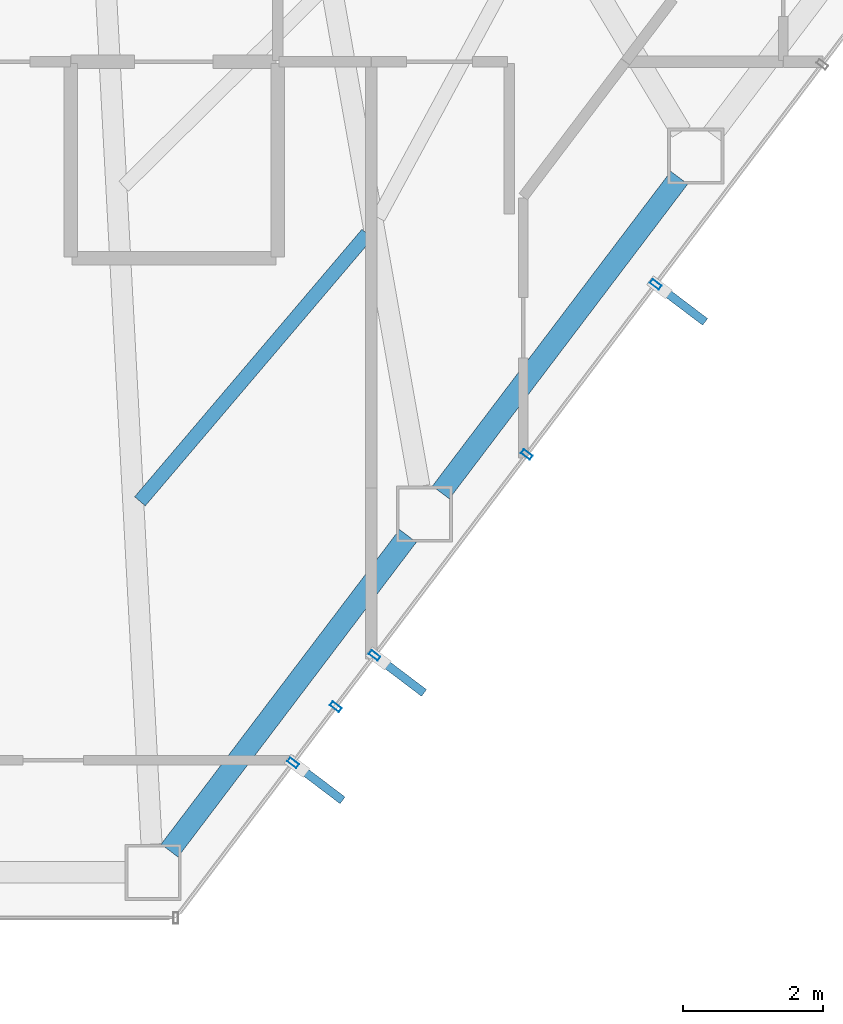
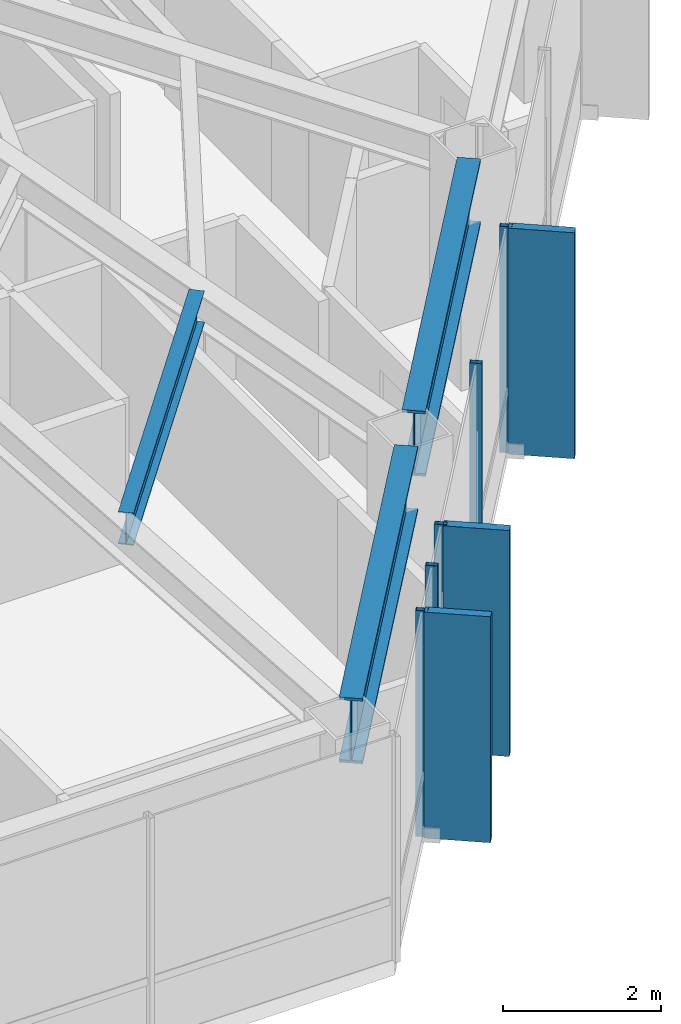
# One storey, part 17 of 29: 8 members, 3 beams, 1 element without a shape of its own.
"""IFC4 building model written with IfcOpenShell, lengths in metres."""

import ifcopenshell
import ifcopenshell.guid

model = None  # the IFC model being written
_history = None  # IfcOwnerHistory: only IFC2X3 demands one
_inside = {}  # id of a spatial element -> (the spatial element, [elements in it])
_under = {}  # id of a project, library or spatial element -> (it, [spatial elements below it])
_declared = {}  # id of a project -> (the project, [libraries it declares])
_typed = {}  # id of a type object -> (the type object, [elements of that type])
_made_of = {}  # id of a material, layer set ... -> (it, [elements and type objects made of it])


def new_model(schema):
    """Start an empty IFC model of exactly this schema.

    Asked for "IFC4X3", IfcOpenShell would pick the latest addendum, in which some entities
    have other attributes; the version numbers below select the first issue.
    IFC2X3 requires an IfcOwnerHistory on every rooted entity: one is made here for all.
    """
    global model, _history
    if schema == "IFC4X3":
        model = ifcopenshell.file(schema_version=(4, 3, 0, 0))
    else:
        model = ifcopenshell.file(schema=schema)
    _inside.clear()
    _under.clear()
    _declared.clear()
    _typed.clear()
    _made_of.clear()
    _history = None
    if model.schema == "IFC2X3":
        org = make("IfcOrganization", Name="unknown")
        user = make(
            "IfcPersonAndOrganization",
            ThePerson=make("IfcPerson", FamilyName="unknown"),
            TheOrganization=org,
        )
        app = make(
            "IfcApplication",
            ApplicationDeveloper=org,
            Version="unknown",
            ApplicationFullName="unknown",
            ApplicationIdentifier="unknown",
        )
        _history = make(
            "IfcOwnerHistory",
            OwningUser=user,
            OwningApplication=app,
            ChangeAction="ADDED",
            CreationDate=0,
        )
    return model


def make(cls, **values):
    """One entity of the class cls with the attributes given. An attribute that is None is left unset."""
    return model.create_entity(
        cls, **{name: value for name, value in values.items() if value is not None}
    )


def rooted(cls, **values):
    """An entity with a GlobalId (a new one), such as an element, a storey or a relation."""
    return make(cls, GlobalId=ifcopenshell.guid.new(), OwnerHistory=_history, **values)


def si_unit(unit_type, name, prefix=None):
    """IfcSIUnit, for example si_unit("LENGTHUNIT", "METRE", prefix="MILLI")."""
    return make("IfcSIUnit", UnitType=unit_type, Prefix=prefix, Name=name)


def assignment(units):
    """IfcUnitAssignment: the units of a project."""
    return None if units is None else make("IfcUnitAssignment", Units=units)


def point(xyz):
    """IfcCartesianPoint."""
    return None if xyz is None else make("IfcCartesianPoint", Coordinates=xyz)


def direction(xyz):
    """IfcDirection."""
    return None if xyz is None else make("IfcDirection", DirectionRatios=xyz)


def frame(location, z_axis=None, x_axis=None):
    """IfcAxis2Placement3D, a coordinate frame: its origin and axes. An axis left out is left unset."""
    return make(
        "IfcAxis2Placement3D",
        Location=point(location),
        Axis=direction(z_axis),
        RefDirection=direction(x_axis),
    )


def frame_2d(location, x_axis=None):
    """IfcAxis2Placement2D, a coordinate frame in the plane: its origin and x axis."""
    return make(
        "IfcAxis2Placement2D", Location=point(location), RefDirection=direction(x_axis)
    )


def origin():
    """The frame at (0, 0, 0) with its axes left unset."""
    return frame((0.0, 0.0, 0.0))


def origin_2d():
    """The frame at (0, 0) in the plane with its x axis left unset."""
    return frame_2d((0.0, 0.0))


def place(relative_to, where):
    """IfcLocalPlacement: puts the frame where relative to a parent placement (None: the world)."""
    return make(
        "IfcLocalPlacement", PlacementRelTo=relative_to, RelativePlacement=where
    )


def context(
    kind, dimensions, precision=None, world=None, true_north=None, identifier=None
):
    """IfcGeometricRepresentationContext, for example the 3D "Model" context."""
    return make(
        "IfcGeometricRepresentationContext",
        ContextIdentifier=identifier,
        ContextType=kind,
        CoordinateSpaceDimension=dimensions,
        Precision=precision,
        WorldCoordinateSystem=world,
        TrueNorth=true_north,
    )


def subcontext(parent, identifier, kind, view, scale=None):
    """IfcGeometricRepresentationSubContext, for example "Body" below "Model"."""
    return make(
        "IfcGeometricRepresentationSubContext",
        ContextIdentifier=identifier,
        ContextType=kind,
        ParentContext=parent,
        TargetScale=scale,
        TargetView=view,
    )


def project(units=None, contexts=None):
    """IfcProject with its units and contexts."""
    return rooted(
        "IfcProject",
        Name="project",
        RepresentationContexts=contexts,
        UnitsInContext=assignment(units),
    )


def spatial(cls, under=None, at=None, **own):
    """A site, building, storey or space (cls), placed at a placement, below another one or the project."""
    s = rooted(cls, ObjectPlacement=at, **own)
    if under is not None:
        _under.setdefault(under.id(), (under, []))[1].append(s)
    return s


def profile(cls, at=None, kind="AREA", **sizes):
    """A parametric profile (cls). Its sizes go by their IFC names, for example OverallWidth=200.0."""
    return make(cls, ProfileType=kind, Position=at, **sizes)


def rectangle(**sizes):
    """IfcRectangleProfileDef."""
    return profile("IfcRectangleProfileDef", **sizes)


def hollow_rectangle(**sizes):
    """IfcRectangleHollowProfileDef."""
    return profile("IfcRectangleHollowProfileDef", **sizes)


def i_section(**sizes):
    """IfcIShapeProfileDef."""
    return profile("IfcIShapeProfileDef", **sizes)


def extrude(swept, where, along, depth):
    """IfcExtrudedAreaSolid: the profile swept, set in the frame where, extruded along a direction by depth."""
    return make(
        "IfcExtrudedAreaSolid",
        SweptArea=swept,
        Position=where,
        ExtrudedDirection=direction(along),
        Depth=depth,
    )


def shape(context_of_items, identifier, shape_type, items):
    """IfcShapeRepresentation: the items that make up one representation, for example the "Body"."""
    return make(
        "IfcShapeRepresentation",
        ContextOfItems=context_of_items,
        RepresentationIdentifier=identifier,
        RepresentationType=shape_type,
        Items=items,
    )


def material(Name=None, Category=None):
    """IfcMaterial."""
    return make("IfcMaterial", Name=Name, Category=Category)


def layer(
    of_material, thickness, ventilated=None, Name=None, Category=None, Priority=None
):
    """IfcMaterialLayer: one layer of a wall or slab, of a material (None: an air gap)."""
    return make(
        "IfcMaterialLayer",
        Material=of_material,
        LayerThickness=thickness,
        IsVentilated=ventilated,
        Name=Name,
        Category=Category,
        Priority=Priority,
    )


def layer_set(layers, Name=None):
    """IfcMaterialLayerSet."""
    return make("IfcMaterialLayerSet", MaterialLayers=layers, LayerSetName=Name)


def material_profile(
    of_material, cross_section, Name=None, Category=None, Priority=None
):
    """IfcMaterialProfile: a cross section and its material."""
    return make(
        "IfcMaterialProfile",
        Name=Name,
        Material=of_material,
        Profile=cross_section,
        Priority=Priority,
        Category=Category,
    )


def profile_set(profiles, Name=None, composite=None):
    """IfcMaterialProfileSet."""
    return make(
        "IfcMaterialProfileSet",
        Name=Name,
        MaterialProfiles=profiles,
        CompositeProfile=composite,
    )


def made_of(thing, what):
    """Note that an element or type object is made of a material, layer set ...; save() writes the relation."""
    if what is not None:
        _made_of.setdefault(what.id(), (what, []))[1].append(thing)
    return thing


def type_object(cls, material=None, **own):
    """A type object (cls), such as IfcWallType, which elements share."""
    return made_of(rooted(cls, **own), material)


def element(
    cls,
    number,
    at=None,
    inside=None,
    cuts=None,
    type_object=None,
    material=None,
    context=None,
    identifier="Body",
    shape_type=None,
    held_by="IfcProductDefinitionShape",
    body=None,
    shapes=None,
    **own,
):
    """One element of the class cls, such as IfcWall. Its Tag is "e" and its number.

    at: its placement. inside: the storey or other place that contains it. cuts: it is an
    opening in that element (IfcRelVoidsElement). A single representation is given by context,
    identifier, shape_type and body (its items); several are given by shapes. held_by: the class
    of the entity that holds the representations. save() writes the other relations.
    """
    e = rooted(cls, Tag="e%d" % number, ObjectPlacement=at, **own)
    if body is not None:
        shapes = [shape(context, identifier, shape_type, body)]
    if shapes is not None:
        e.Representation = make(held_by, Representations=shapes)
    if inside is not None:
        _inside.setdefault(inside.id(), (inside, []))[1].append(e)
    if cuts is not None:
        rooted(
            "IfcRelVoidsElement", RelatingBuildingElement=cuts, RelatedOpeningElement=e
        )
    if type_object is not None:
        _typed.setdefault(type_object.id(), (type_object, []))[1].append(e)
    return made_of(e, material)


def aggregate(whole, parts):
    """IfcRelAggregates: a whole, such as a stair, and the parts it consists of."""
    return rooted("IfcRelAggregates", RelatingObject=whole, RelatedObjects=parts)


def save(model, path):
    """Write the relations noted so far, then the file.

    IfcRelAggregates (storeys below a building ...), IfcRelContainedInSpatialStructure (elements
    in a storey), IfcRelDefinesByType, IfcRelAssociatesMaterial and IfcRelDeclares: one each for
    every whole, place, type object, material and project.
    """
    for whole, parts in _under.values():
        aggregate(whole, parts)
    for where, things in _inside.values():
        rooted(
            "IfcRelContainedInSpatialStructure",
            RelatedElements=things,
            RelatingStructure=where,
        )
    for kind, things in _typed.values():
        rooted("IfcRelDefinesByType", RelatedObjects=things, RelatingType=kind)
    for what, things in _made_of.values():
        rooted("IfcRelAssociatesMaterial", RelatedObjects=things, RelatingMaterial=what)
    for by, libraries in _declared.values():
        rooted("IfcRelDeclares", RelatingContext=by, RelatedDefinitions=libraries)
    model.write(path)


model = new_model("IFC4")

# Units and contexts
model_context = context("Model", 3, precision=1e-05, world=origin(), true_north=direction((0.0, 1.0)))
body_context = subcontext(model_context, "Body", "Model", "MODEL_VIEW")
ifc_project = project(units=[si_unit("LENGTHUNIT", "METRE"), si_unit("AREAUNIT", "SQUARE_METRE"), si_unit("VOLUMEUNIT", "CUBIC_METRE"), si_unit("PLANEANGLEUNIT", "RADIAN"), si_unit("MASSUNIT", "GRAM", prefix="KILO")], contexts=[model_context])

# Site, building, storey
site_placement = place(None, origin())
site = spatial("IfcSite", under=ifc_project, at=site_placement, CompositionType="ELEMENT")
building_placement = place(site_placement, origin())
building = spatial("IfcBuilding", under=site, at=building_placement, Name="Zarrinselat Tower", CompositionType="ELEMENT")
storey_placement = place(building_placement, frame((0.0, 0.0, 138.3798828125)))
storey = spatial("IfcBuildingStorey", under=building, at=storey_placement, Name="L33", CompositionType="ELEMENT", Elevation=138.3798828125)

# Beams
ifc_material_1 = material(Name="Steel S460M", Category="steel")
ifc_material_profile_1 = material_profile(ifc_material_1, i_section(OverallWidth=0.302001953125, OverallDepth=1.008056640625, WebThickness=0.02099609375, FlangeThickness=0.0400390625, at=origin_2d()), Name="HEM 1000")
ifc_profile_set_1 = profile_set([ifc_material_profile_1], Name="Steel S460M")
beam_type_1 = type_object("IfcBeamType", Name="BM-HEM1000", PredefinedType="BEAM", material=ifc_profile_set_1)
beam_1_placement = place(storey_placement, frame((46.80810546875, 18.905029296875, 2.99609375), z_axis=(0.603857687995, 0.797092148154, 0.0), x_axis=(-0.797092148154, 0.603857687995, 0.0)))
element("IfcBeam", 1, at=beam_1_placement, inside=storey, type_object=beam_type_1, Name="L33 Perimeter Spandrel Girder SP11", PredefinedType="BEAM", context=body_context, shape_type="SweptSolid", body=[
    extrude(i_section(OverallWidth=0.302001953125, OverallDepth=1.008056640625, WebThickness=0.02099609375, FlangeThickness=0.0400390625, at=origin_2d()), origin(), (0.0, 0.0, 1.0), 5.6298828125),
])
beam_2_placement = place(storey_placement, frame((50.676513671875, 24.01123046875, 2.99609375), z_axis=(0.603851008245, 0.797097208527, 0.0), x_axis=(-0.797097208527, 0.603851008245, 0.0)))
element("IfcBeam", 2, at=beam_2_placement, inside=storey, type_object=beam_type_1, Name="L33 Perimeter Spandrel Girder SP12", PredefinedType="BEAM", context=body_context, shape_type="SweptSolid", body=[
    extrude(i_section(OverallWidth=0.302001953125, OverallDepth=1.008056640625, WebThickness=0.02099609375, FlangeThickness=0.0400390625, at=origin_2d()), origin(), (0.0, 0.0, 1.0), 5.629638671875),
])
ifc_material_2 = material(Name="Steel S355J2", Category="steel")
ifc_material_profile_2 = material_profile(ifc_material_2, i_section(OverallWidth=0.199951171875, OverallDepth=0.5, WebThickness=0.01025390625, FlangeThickness=0.01611328125, at=origin_2d()), Name="IPE 500")
ifc_profile_set_2 = profile_set([ifc_material_profile_2], Name="Steel S355J2")
beam_type_2 = type_object("IfcBeamType", Name="BM-IPE500", PredefinedType="JOIST", material=ifc_profile_set_2)
beam_3_placement = place(storey_placement, frame((46.38720703125, 23.88525390625, 3.25), z_axis=(0.647635673761, 0.76195015196, 0.0), x_axis=(-0.76195015196, 0.647635673761, 0.0)))
element("IfcBeam", 3, at=beam_3_placement, inside=storey, type_object=beam_type_2, Name="L33 Composite Floor Joist 3-1", PredefinedType="JOIST", context=body_context, shape_type="SweptSolid", body=[
    extrude(i_section(OverallWidth=0.199951171875, OverallDepth=0.5, WebThickness=0.01025390625, FlangeThickness=0.01611328125, at=origin_2d()), origin(), (0.0, 0.0, 1.0), 5.00390625),
])

# Curtain wall, members
ifc_material_3 = material(Name="Extruded Aluminium Alloy EN AW-6063 T6", Category="aluminium")
ifc_layer = layer(ifc_material_3, 0.175048828125)
ifc_layer_set = layer_set([ifc_layer], Name="Extruded Aluminium Alloy EN AW-6063 T6")
curtain_wall_type = type_object("IfcCurtainWallType", Name="CWS-HTL", PredefinedType="NOTDEFINED", material=ifc_layer_set)
curtain_wall_placement = place(storey_placement, origin())
curtain_wall = element("IfcCurtainWall", 4, at=curtain_wall_placement, inside=storey, type_object=curtain_wall_type, Name="L33 Unitised Curtain Wall CW-L33-E05", PredefinedType="NOTDEFINED")
ifc_material_4 = material(Name="Extruded Aluminium Alloy EN AW-6063 T6", Category="aluminium")
ifc_material_profile_3 = material_profile(ifc_material_4, hollow_rectangle(XDim=0.070068359375, YDim=0.159912109375, WallThickness=0.00390625, at=origin_2d()), Name="RHS 160x70x4")
ifc_profile_set_3 = profile_set([ifc_material_profile_3], Name="Extruded Aluminium Alloy EN AW-6063 T6")
member_type_1 = type_object("IfcMemberType", Name="MEM-CW-MUL2", PredefinedType="MULLION", material=ifc_profile_set_3)
member_1_placement = place(storey_placement, frame((48.57080078125, 20.155517578125, 0.0), z_axis=(0.0, 0.0, 1.0), x_axis=(0.603855794642, 0.797093582509, 0.0)))
member_1 = element("IfcMember", 5, at=member_1_placement, type_object=member_type_1, Name="CW-L33-E05 Mullion 1", PredefinedType="MULLION", context=body_context, shape_type="SweptSolid", body=[
    extrude(hollow_rectangle(XDim=0.070068359375, YDim=0.159912109375, WallThickness=0.00390625, at=origin_2d()), origin(), (0.0, 0.0, 1.0), 3.5),
])
member_2_placement = place(storey_placement, frame((49.177734375, 20.956298828125, 0.0), z_axis=(0.0, 0.0, 1.0), x_axis=(0.603855794642, 0.797093582509, 0.0)))
member_2 = element("IfcMember", 6, at=member_2_placement, type_object=member_type_1, Name="CW-L33-E05 Mullion 2", PredefinedType="MULLION", context=body_context, shape_type="SweptSolid", body=[
    extrude(hollow_rectangle(XDim=0.070068359375, YDim=0.159912109375, WallThickness=0.00390625, at=origin_2d()), origin(), (0.0, 0.0, 1.0), 3.5),
])
member_3_placement = place(storey_placement, frame((49.7314453125, 21.6875, 0.0), z_axis=(0.0, 0.0, 1.0), x_axis=(0.603855794642, 0.797093582509, 0.0)))
member_3 = element("IfcMember", 7, at=member_3_placement, type_object=member_type_1, Name="CW-L33-E05 Mullion 3", PredefinedType="MULLION", context=body_context, shape_type="SweptSolid", body=[
    extrude(hollow_rectangle(XDim=0.070068359375, YDim=0.159912109375, WallThickness=0.00390625, at=origin_2d()), origin(), (0.0, 0.0, 1.0), 3.5),
])
member_4_placement = place(storey_placement, frame((51.90185546875, 24.552490234375, 0.0), z_axis=(0.0, 0.0, 1.0), x_axis=(0.603855794642, 0.797093582509, 0.0)))
member_4 = element("IfcMember", 8, at=member_4_placement, type_object=member_type_1, Name="CW-L33-E05 Mullion 4", PredefinedType="MULLION", context=body_context, shape_type="SweptSolid", body=[
    extrude(hollow_rectangle(XDim=0.070068359375, YDim=0.159912109375, WallThickness=0.00390625, at=origin_2d()), origin(), (0.0, 0.0, 1.0), 3.5),
])
member_5_placement = place(storey_placement, frame((53.7392578125, 26.9775390625, 0.0), z_axis=(0.0, 0.0, 1.0), x_axis=(0.603855794642, 0.797093582509, 0.0)))
member_5 = element("IfcMember", 9, at=member_5_placement, type_object=member_type_1, Name="CW-L33-E05 Mullion 5", PredefinedType="MULLION", context=body_context, shape_type="SweptSolid", body=[
    extrude(hollow_rectangle(XDim=0.070068359375, YDim=0.159912109375, WallThickness=0.00390625, at=origin_2d()), origin(), (0.0, 0.0, 1.0), 3.5),
])
ifc_material_5 = material(Name="Honed Cream Travertine Stone", Category="masonry")
ifc_material_profile_4 = material_profile(ifc_material_5, rectangle(XDim=0.1201171875, YDim=0.85009765625, at=origin_2d()), Name="FIN 850x120")
ifc_profile_set_4 = profile_set([ifc_material_profile_4], Name="Honed Cream Travertine Stone")
member_type_2 = type_object("IfcMemberType", Name="MEM-STONE-FIN", PredefinedType="USERDEFINED", material=ifc_profile_set_4)
member_6_placement = place(storey_placement, frame((48.9375, 19.877685546875, 0.0), z_axis=(0.0, 0.0, 1.0), x_axis=(-0.603855794642, -0.797093582509, 0.0)))
member_6 = element("IfcMember", 10, at=member_6_placement, type_object=member_type_2, Name="L33 Stone Shading Fin CW-L33-E05-01", ObjectType="FIN", PredefinedType="USERDEFINED", context=body_context, shape_type="SweptSolid", body=[
    extrude(rectangle(XDim=0.1201171875, YDim=0.85009765625, at=origin_2d()), origin(), (0.0, 0.0, 1.0), 3.5),
])
member_7_placement = place(storey_placement, frame((50.09814453125, 21.40966796875, 0.0), z_axis=(0.0, 0.0, 1.0), x_axis=(-0.603855794642, -0.797093582509, 0.0)))
member_7 = element("IfcMember", 11, at=member_7_placement, type_object=member_type_2, Name="L33 Stone Shading Fin CW-L33-E05-03", ObjectType="FIN", PredefinedType="USERDEFINED", context=body_context, shape_type="SweptSolid", body=[
    extrude(rectangle(XDim=0.1201171875, YDim=0.85009765625, at=origin_2d()), origin(), (0.0, 0.0, 1.0), 3.5),
])
member_8_placement = place(storey_placement, frame((54.10595703125, 26.69970703125, 0.0), z_axis=(0.0, 0.0, 1.0), x_axis=(-0.603855794642, -0.797093582509, 0.0)))
member_8 = element("IfcMember", 12, at=member_8_placement, type_object=member_type_2, Name="L33 Stone Shading Fin CW-L33-E05-05", ObjectType="FIN", PredefinedType="USERDEFINED", context=body_context, shape_type="SweptSolid", body=[
    extrude(rectangle(XDim=0.1201171875, YDim=0.85009765625, at=origin_2d()), origin(), (0.0, 0.0, 1.0), 3.5),
])
aggregate(curtain_wall, [member_1, member_6, member_2, member_3, member_7, member_4, member_5, member_8])

save(model, "model.ifc")
